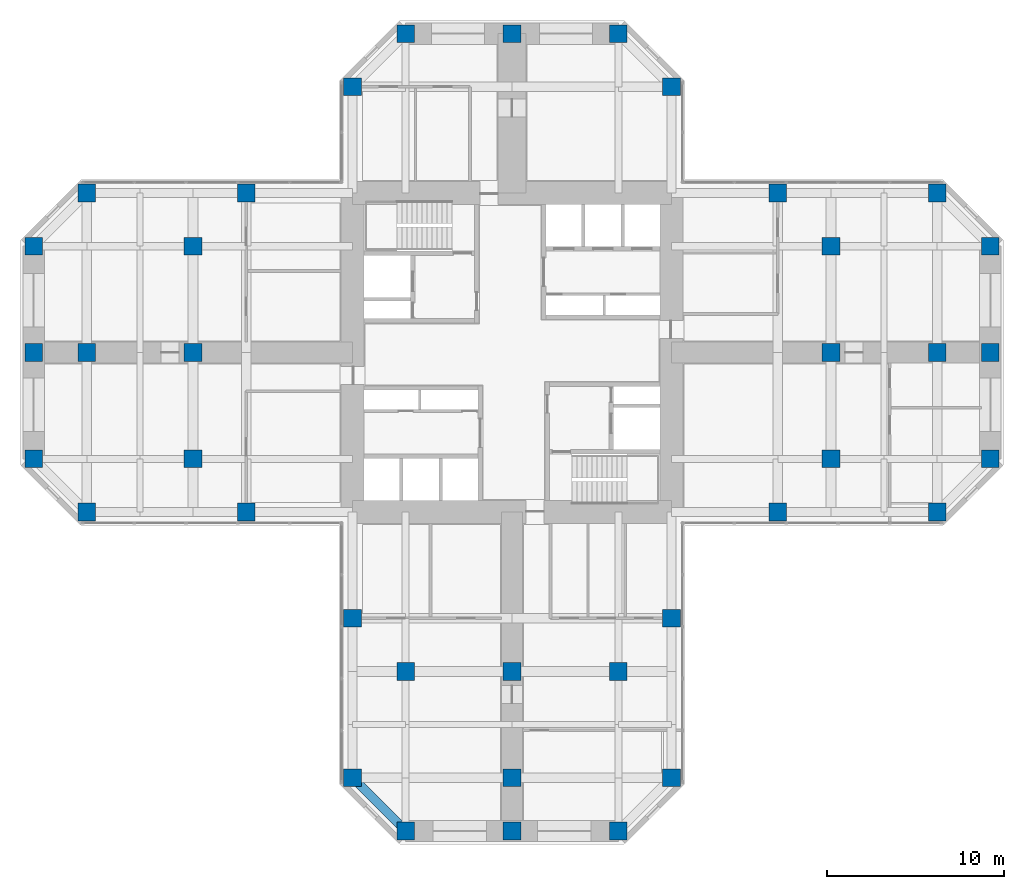
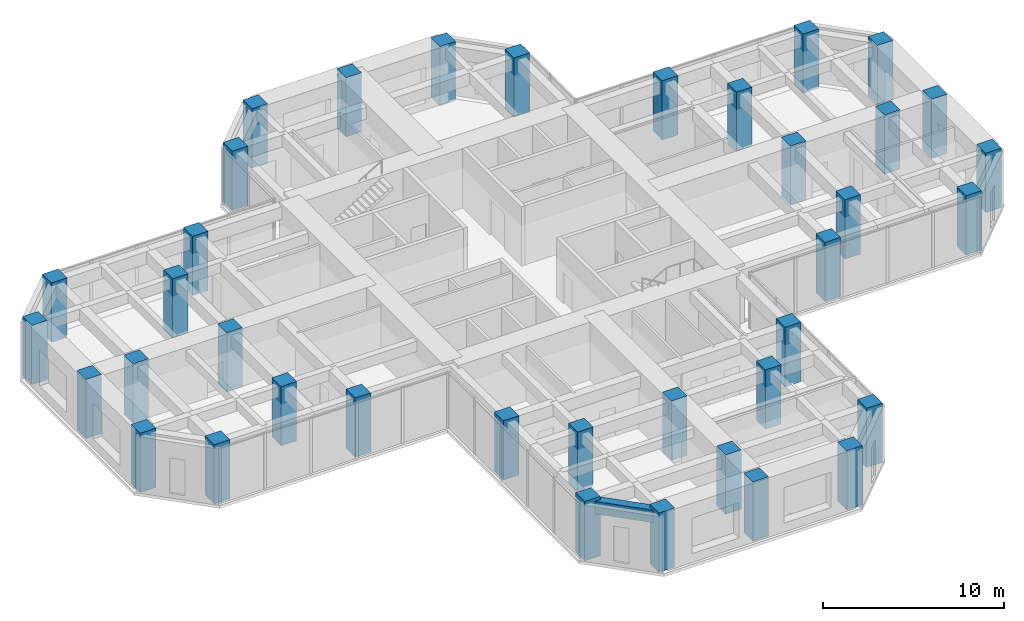
# One storey, part 1 of 12: 38 columns, 1 beam.
"""IFC4 building model written with IfcOpenShell, lengths in metres."""

import ifcopenshell
import ifcopenshell.guid

model = None  # the IFC model being written
_history = None  # IfcOwnerHistory: only IFC2X3 demands one
_inside = {}  # id of a spatial element -> (the spatial element, [elements in it])
_under = {}  # id of a project, library or spatial element -> (it, [spatial elements below it])
_declared = {}  # id of a project -> (the project, [libraries it declares])
_typed = {}  # id of a type object -> (the type object, [elements of that type])
_made_of = {}  # id of a material, layer set ... -> (it, [elements and type objects made of it])


def new_model(schema):
    """Start an empty IFC model of exactly this schema.

    Asked for "IFC4X3", IfcOpenShell would pick the latest addendum, in which some entities
    have other attributes; the version numbers below select the first issue.
    IFC2X3 requires an IfcOwnerHistory on every rooted entity: one is made here for all.
    """
    global model, _history
    if schema == "IFC4X3":
        model = ifcopenshell.file(schema_version=(4, 3, 0, 0))
    else:
        model = ifcopenshell.file(schema=schema)
    _inside.clear()
    _under.clear()
    _declared.clear()
    _typed.clear()
    _made_of.clear()
    _history = None
    if model.schema == "IFC2X3":
        org = make("IfcOrganization", Name="unknown")
        user = make(
            "IfcPersonAndOrganization",
            ThePerson=make("IfcPerson", FamilyName="unknown"),
            TheOrganization=org,
        )
        app = make(
            "IfcApplication",
            ApplicationDeveloper=org,
            Version="unknown",
            ApplicationFullName="unknown",
            ApplicationIdentifier="unknown",
        )
        _history = make(
            "IfcOwnerHistory",
            OwningUser=user,
            OwningApplication=app,
            ChangeAction="ADDED",
            CreationDate=0,
        )
    return model


def make(cls, **values):
    """One entity of the class cls with the attributes given. An attribute that is None is left unset."""
    return model.create_entity(
        cls, **{name: value for name, value in values.items() if value is not None}
    )


def rooted(cls, **values):
    """An entity with a GlobalId (a new one), such as an element, a storey or a relation."""
    return make(cls, GlobalId=ifcopenshell.guid.new(), OwnerHistory=_history, **values)


def si_unit(unit_type, name, prefix=None):
    """IfcSIUnit, for example si_unit("LENGTHUNIT", "METRE", prefix="MILLI")."""
    return make("IfcSIUnit", UnitType=unit_type, Prefix=prefix, Name=name)


def assignment(units):
    """IfcUnitAssignment: the units of a project."""
    return None if units is None else make("IfcUnitAssignment", Units=units)


def point(xyz):
    """IfcCartesianPoint."""
    return None if xyz is None else make("IfcCartesianPoint", Coordinates=xyz)


def direction(xyz):
    """IfcDirection."""
    return None if xyz is None else make("IfcDirection", DirectionRatios=xyz)


def frame(location, z_axis=None, x_axis=None):
    """IfcAxis2Placement3D, a coordinate frame: its origin and axes. An axis left out is left unset."""
    return make(
        "IfcAxis2Placement3D",
        Location=point(location),
        Axis=direction(z_axis),
        RefDirection=direction(x_axis),
    )


def frame_2d(location, x_axis=None):
    """IfcAxis2Placement2D, a coordinate frame in the plane: its origin and x axis."""
    return make(
        "IfcAxis2Placement2D", Location=point(location), RefDirection=direction(x_axis)
    )


def origin():
    """The frame at (0, 0, 0) with its axes left unset."""
    return frame((0.0, 0.0, 0.0))


def origin_2d():
    """The frame at (0, 0) in the plane with its x axis left unset."""
    return frame_2d((0.0, 0.0))


def place(relative_to, where):
    """IfcLocalPlacement: puts the frame where relative to a parent placement (None: the world)."""
    return make(
        "IfcLocalPlacement", PlacementRelTo=relative_to, RelativePlacement=where
    )


def context(
    kind, dimensions, precision=None, world=None, true_north=None, identifier=None
):
    """IfcGeometricRepresentationContext, for example the 3D "Model" context."""
    return make(
        "IfcGeometricRepresentationContext",
        ContextIdentifier=identifier,
        ContextType=kind,
        CoordinateSpaceDimension=dimensions,
        Precision=precision,
        WorldCoordinateSystem=world,
        TrueNorth=true_north,
    )


def subcontext(parent, identifier, kind, view, scale=None):
    """IfcGeometricRepresentationSubContext, for example "Body" below "Model"."""
    return make(
        "IfcGeometricRepresentationSubContext",
        ContextIdentifier=identifier,
        ContextType=kind,
        ParentContext=parent,
        TargetScale=scale,
        TargetView=view,
    )


def project(units=None, contexts=None):
    """IfcProject with its units and contexts."""
    return rooted(
        "IfcProject",
        Name="project",
        RepresentationContexts=contexts,
        UnitsInContext=assignment(units),
    )


def spatial(cls, under=None, at=None, **own):
    """A site, building, storey or space (cls), placed at a placement, below another one or the project."""
    s = rooted(cls, ObjectPlacement=at, **own)
    if under is not None:
        _under.setdefault(under.id(), (under, []))[1].append(s)
    return s


def profile(cls, at=None, kind="AREA", **sizes):
    """A parametric profile (cls). Its sizes go by their IFC names, for example OverallWidth=200.0."""
    return make(cls, ProfileType=kind, Position=at, **sizes)


def rectangle(**sizes):
    """IfcRectangleProfileDef."""
    return profile("IfcRectangleProfileDef", **sizes)


def extrude(swept, where, along, depth):
    """IfcExtrudedAreaSolid: the profile swept, set in the frame where, extruded along a direction by depth."""
    return make(
        "IfcExtrudedAreaSolid",
        SweptArea=swept,
        Position=where,
        ExtrudedDirection=direction(along),
        Depth=depth,
    )


def shape(context_of_items, identifier, shape_type, items):
    """IfcShapeRepresentation: the items that make up one representation, for example the "Body"."""
    return make(
        "IfcShapeRepresentation",
        ContextOfItems=context_of_items,
        RepresentationIdentifier=identifier,
        RepresentationType=shape_type,
        Items=items,
    )


def material(Name=None, Category=None):
    """IfcMaterial."""
    return make("IfcMaterial", Name=Name, Category=Category)


def material_profile(
    of_material, cross_section, Name=None, Category=None, Priority=None
):
    """IfcMaterialProfile: a cross section and its material."""
    return make(
        "IfcMaterialProfile",
        Name=Name,
        Material=of_material,
        Profile=cross_section,
        Priority=Priority,
        Category=Category,
    )


def profile_set(profiles, Name=None, composite=None):
    """IfcMaterialProfileSet."""
    return make(
        "IfcMaterialProfileSet",
        Name=Name,
        MaterialProfiles=profiles,
        CompositeProfile=composite,
    )


def made_of(thing, what):
    """Note that an element or type object is made of a material, layer set ...; save() writes the relation."""
    if what is not None:
        _made_of.setdefault(what.id(), (what, []))[1].append(thing)
    return thing


def type_object(cls, material=None, **own):
    """A type object (cls), such as IfcWallType, which elements share."""
    return made_of(rooted(cls, **own), material)


def element(
    cls,
    number,
    at=None,
    inside=None,
    cuts=None,
    type_object=None,
    material=None,
    context=None,
    identifier="Body",
    shape_type=None,
    held_by="IfcProductDefinitionShape",
    body=None,
    shapes=None,
    **own,
):
    """One element of the class cls, such as IfcWall. Its Tag is "e" and its number.

    at: its placement. inside: the storey or other place that contains it. cuts: it is an
    opening in that element (IfcRelVoidsElement). A single representation is given by context,
    identifier, shape_type and body (its items); several are given by shapes. held_by: the class
    of the entity that holds the representations. save() writes the other relations.
    """
    e = rooted(cls, Tag="e%d" % number, ObjectPlacement=at, **own)
    if body is not None:
        shapes = [shape(context, identifier, shape_type, body)]
    if shapes is not None:
        e.Representation = make(held_by, Representations=shapes)
    if inside is not None:
        _inside.setdefault(inside.id(), (inside, []))[1].append(e)
    if cuts is not None:
        rooted(
            "IfcRelVoidsElement", RelatingBuildingElement=cuts, RelatedOpeningElement=e
        )
    if type_object is not None:
        _typed.setdefault(type_object.id(), (type_object, []))[1].append(e)
    return made_of(e, material)


def aggregate(whole, parts):
    """IfcRelAggregates: a whole, such as a stair, and the parts it consists of."""
    return rooted("IfcRelAggregates", RelatingObject=whole, RelatedObjects=parts)


def save(model, path):
    """Write the relations noted so far, then the file.

    IfcRelAggregates (storeys below a building ...), IfcRelContainedInSpatialStructure (elements
    in a storey), IfcRelDefinesByType, IfcRelAssociatesMaterial and IfcRelDeclares: one each for
    every whole, place, type object, material and project.
    """
    for whole, parts in _under.values():
        aggregate(whole, parts)
    for where, things in _inside.values():
        rooted(
            "IfcRelContainedInSpatialStructure",
            RelatedElements=things,
            RelatingStructure=where,
        )
    for kind, things in _typed.values():
        rooted("IfcRelDefinesByType", RelatedObjects=things, RelatingType=kind)
    for what, things in _made_of.values():
        rooted("IfcRelAssociatesMaterial", RelatedObjects=things, RelatingMaterial=what)
    for by, libraries in _declared.values():
        rooted("IfcRelDeclares", RelatingContext=by, RelatedDefinitions=libraries)
    model.write(path)


model = new_model("IFC4")

# Units and contexts
model_context = context("Model", 3, precision=1e-05, world=origin(), true_north=direction((0.0, 1.0)))
body_context = subcontext(model_context, "Body", "Model", "MODEL_VIEW")
ifc_project = project(units=[si_unit("LENGTHUNIT", "METRE"), si_unit("AREAUNIT", "SQUARE_METRE"), si_unit("VOLUMEUNIT", "CUBIC_METRE"), si_unit("PLANEANGLEUNIT", "RADIAN"), si_unit("MASSUNIT", "GRAM", prefix="KILO")], contexts=[model_context])

# Site, building, storey
site_placement = place(None, origin())
site = spatial("IfcSite", under=ifc_project, at=site_placement, CompositionType="ELEMENT")
building_placement = place(site_placement, origin())
building = spatial("IfcBuilding", under=site, at=building_placement, Name="Torre Cruceta", CompositionType="ELEMENT")
storey_placement = place(building_placement, frame((0.0, 0.0, 116.5)))
storey = spatial("IfcBuildingStorey", under=building, at=storey_placement, Name="L28", CompositionType="ELEMENT", Elevation=116.5)

# Columns
ifc_material_1 = material(Name="Concrete G60 (fck 60 MPa)", Category="concrete")
ifc_material_profile_1 = material_profile(ifc_material_1, rectangle(XDim=1.0, YDim=1.0, at=origin_2d()), Name="RC 1000X1000")
ifc_profile_set_1 = profile_set([ifc_material_profile_1], Name="Concrete G60 (fck 60 MPa)")
column_type = type_object("IfcColumnType", Name="COLUMN RC 1000X1000", PredefinedType="COLUMN", material=ifc_profile_set_1)
for number, where, z_axis, x_axis, name in (
    (1, (9.0, 15.0, 0.0), (0.0, 0.0, 1.0), (1.0, 0.0, 0.0), "C5 L28 N chamfer"),
    (2, (-9.0, 15.0, 0.0), (0.0, 0.0, 1.0), (1.0, 0.0, 0.0), "C5 L28 N chamfer"),
    (3, (6.0, 18.0, 0.0), (0.0, 0.0, 1.0), (1.0, 0.0, 0.0), "C5 L28 N tip"),
    (4, (0.0, 18.0, 0.0), (0.0, 0.0, 1.0), (1.0, 0.0, 0.0), "C5 L28 N tip"),
    (5, (-6.0, 18.0, 0.0), (0.0, 0.0, 1.0), (1.0, 0.0, 0.0), "C5 L28 N tip"),
    (6, (15.0, -9.0, 0.0), (0.0, 0.0, 1.0), (1.0, 0.0, 0.0), "C5 L28 E side"),
    (7, (24.0, -9.0, 0.0), (0.0, 0.0, 1.0), (1.0, 0.0, 0.0), "C5 L28 E chamfer"),
    (8, (15.0, 9.0, 0.0), (0.0, 0.0, 1.0), (1.0, 0.0, 0.0), "C5 L28 E side"),
    (9, (24.0, 9.0, 0.0), (0.0, 0.0, 1.0), (1.0, 0.0, 0.0), "C5 L28 E chamfer"),
    (10, (27.0, -6.0, 0.0), (0.0, 0.0, 1.0), (1.0, 0.0, 0.0), "C5 L28 E tip"),
    (11, (27.0, 0.0, 0.0), (0.0, 0.0, 1.0), (1.0, 0.0, 0.0), "C5 L28 E tip"),
    (12, (27.0, 6.0, 0.0), (0.0, 0.0, 1.0), (1.0, 0.0, 0.0), "C5 L28 E tip"),
    (13, (-9.0, -15.0, 0.0), (0.0, 0.0, 1.0), (1.0, 0.0, 0.0), "C5 L28 S side"),
    (14, (-9.0, -24.0, 0.0), (0.0, 0.0, 1.0), (1.0, 0.0, 0.0), "C5 L28 S chamfer"),
    (15, (9.0, -15.0, 0.0), (0.0, 0.0, 1.0), (1.0, 0.0, 0.0), "C5 L28 S side"),
    (16, (9.0, -24.0, 0.0), (0.0, 0.0, 1.0), (1.0, 0.0, 0.0), "C5 L28 S chamfer"),
    (17, (-6.0, -27.0, 0.0), (0.0, 0.0, 1.0), (1.0, 0.0, 0.0), "C5 L28 S tip"),
    (18, (0.0, -27.0, 0.0), (0.0, 0.0, 1.0), (1.0, 0.0, 0.0), "C5 L28 S tip"),
    (19, (6.0, -27.0, 0.0), (0.0, 0.0, 1.0), (1.0, 0.0, 0.0), "C5 L28 S tip"),
    (20, (-15.0, 9.0, 0.0), (0.0, 0.0, 1.0), (1.0, 0.0, 0.0), "C5 L28 W side"),
    (21, (-24.0, 9.0, 0.0), (0.0, 0.0, 1.0), (1.0, 0.0, 0.0), "C5 L28 W chamfer"),
    (22, (-15.0, -9.0, 0.0), (0.0, 0.0, 1.0), (1.0, 0.0, 0.0), "C5 L28 W side"),
    (23, (-24.0, -9.0, 0.0), (0.0, 0.0, 1.0), (1.0, 0.0, 0.0), "C5 L28 W chamfer"),
    (24, (-27.0, 6.0, 0.0), (0.0, 0.0, 1.0), (1.0, 0.0, 0.0), "C5 L28 W tip"),
    (25, (-27.0, 0.0, 0.0), (0.0, 0.0, 1.0), (1.0, 0.0, 0.0), "C5 L28 W tip"),
    (26, (-27.0, -6.0, 0.0), (0.0, 0.0, 1.0), (1.0, 0.0, 0.0), "C5 L28 W tip"),
    (27, (18.0, -6.0, 0.0), (0.0, 0.0, 1.0), (1.0, 0.0, 0.0), "C5 L28 E interior"),
    (28, (18.0, 0.0, 0.0), (0.0, 0.0, 1.0), (1.0, 0.0, 0.0), "C5 L28 E interior"),
    (29, (18.0, 6.0, 0.0), (0.0, 0.0, 1.0), (1.0, 0.0, 0.0), "C5 L28 E interior"),
    (30, (24.0, 0.0, 0.0), (0.0, 0.0, 1.0), (1.0, 0.0, 0.0), "C5 L28 E interior"),
    (31, (-6.0, -18.0, 0.0), (0.0, 0.0, 1.0), (1.0, 0.0, 0.0), "C5 L28 S interior"),
    (32, (0.0, -18.0, 0.0), (0.0, 0.0, 1.0), (1.0, 0.0, 0.0), "C5 L28 S interior"),
    (33, (6.0, -18.0, 0.0), (0.0, 0.0, 1.0), (1.0, 0.0, 0.0), "C5 L28 S interior"),
    (34, (0.0, -24.0, 0.0), (0.0, 0.0, 1.0), (1.0, 0.0, 0.0), "C5 L28 S interior"),
    (35, (-18.0, 6.0, 0.0), (0.0, 0.0, 1.0), (1.0, 0.0, 0.0), "C5 L28 W interior"),
    (36, (-18.0, 0.0, 0.0), (0.0, 0.0, 1.0), (1.0, 0.0, 0.0), "C5 L28 W interior"),
    (37, (-18.0, -6.0, 0.0), (0.0, 0.0, 1.0), (1.0, 0.0, 0.0), "C5 L28 W interior"),
    (38, (-24.0, 0.0, 0.0), (0.0, 0.0, 1.0), (1.0, 0.0, 0.0), "C5 L28 W interior"),
):
    element("IfcColumn", number, at=place(storey_placement, frame(where, z_axis=z_axis, x_axis=x_axis)), inside=storey, type_object=column_type, Name=name, PredefinedType="COLUMN", context=body_context, shape_type="SweptSolid", body=[
        extrude(rectangle(XDim=1.0, YDim=1.0, at=origin_2d()), origin(), (0.0, 0.0, 1.0), 4.0),
    ])

# Beam
ifc_material_2 = material(Name="Concrete G60 (fck 60 MPa)", Category="concrete")
ifc_material_profile_2 = material_profile(ifc_material_2, rectangle(XDim=0.5, YDim=0.85009765625, at=origin_2d()), Name="RC 500X850")
ifc_profile_set_2 = profile_set([ifc_material_profile_2], Name="Concrete G60 (fck 60 MPa)")
beam_type = type_object("IfcBeamType", Name="SPANDREL BEAM RC 500X850", PredefinedType="SPANDREL", material=ifc_profile_set_2)
beam_placement = place(storey_placement, frame((-9.0, -24.0, 3.375), z_axis=(0.707106781187, -0.707106781187, 0.0), x_axis=(0.707106781187, 0.707106781187, 0.0)))
element("IfcBeam", 39, at=beam_placement, inside=storey, type_object=beam_type, Name="SB5 L28 S side- 5", PredefinedType="SPANDREL", context=body_context, shape_type="SweptSolid", body=[
    extrude(rectangle(XDim=0.5, YDim=0.85009765625, at=origin_2d()), origin(), (0.0, 0.0, 1.0), 4.24267578125),
])

save(model, "model.ifc")
